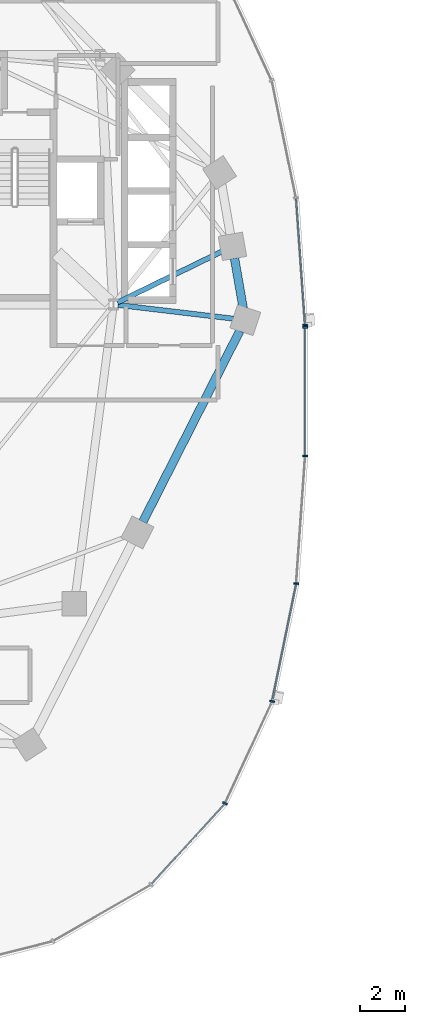
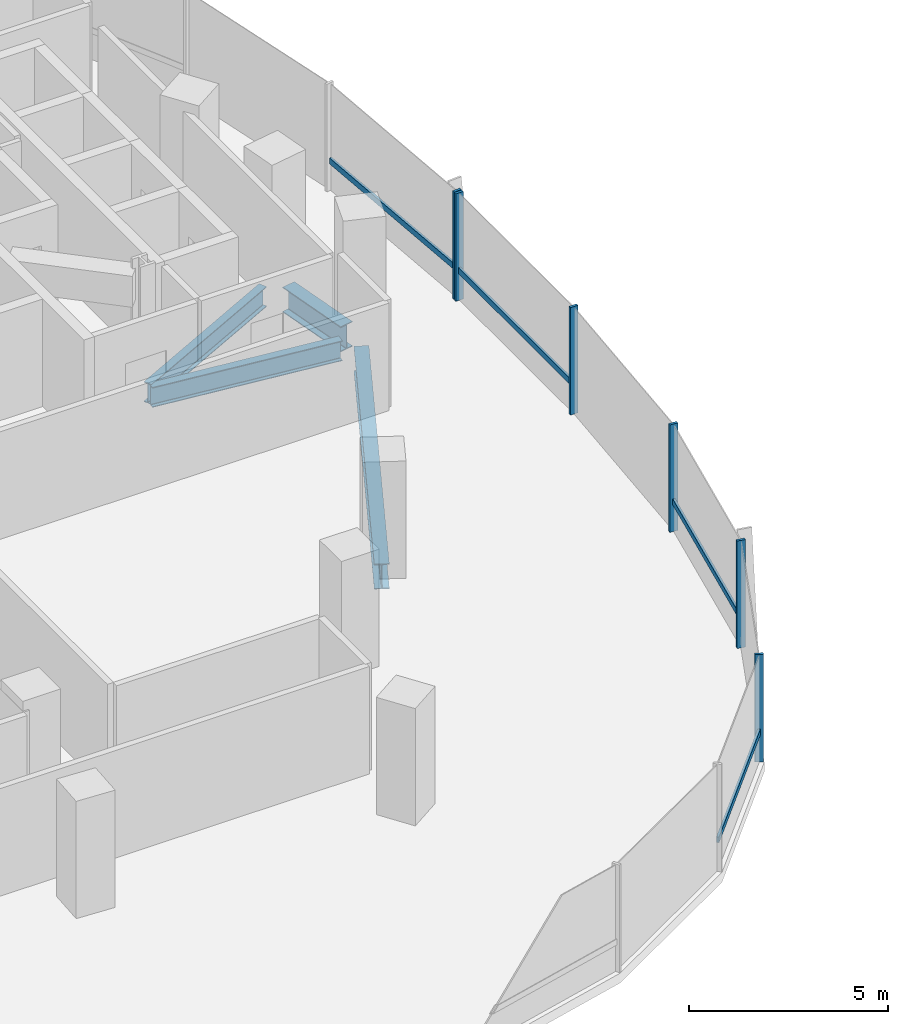
# One storey, part 3 of 20: 10 members, 4 beams, 2 elements without a shape of their own.
"""IFC4 building model written with IfcOpenShell, lengths in metres."""

from ifc_helpers import new_model, si_unit, direction, frame, origin, origin_2d, place, context, subcontext, project, spatial, rectangle, i_section, extrude, material, material_profile, profile_set, type_object, element, aggregate, save


model = new_model("IFC4")

# Units and contexts
model_context = context("Model", 3, precision=1e-05, world=origin(), true_north=direction((0.0, 1.0)))
body_context = subcontext(model_context, "Body", "Model", "MODEL_VIEW")
ifc_project = project(units=[si_unit("LENGTHUNIT", "METRE"), si_unit("AREAUNIT", "SQUARE_METRE"), si_unit("VOLUMEUNIT", "CUBIC_METRE"), si_unit("PLANEANGLEUNIT", "RADIAN"), si_unit("MASSUNIT", "GRAM", prefix="KILO"), si_unit("THERMODYNAMICTEMPERATUREUNIT", "KELVIN"), si_unit("POWERUNIT", "WATT")], contexts=[model_context])

# Site, building, storey
site_placement = place(None, origin())
site = spatial("IfcSite", under=ifc_project, at=site_placement, CompositionType="ELEMENT")
building_placement = place(site_placement, origin())
building = spatial("IfcBuilding", under=site, at=building_placement, Name="Cundina Bronze Exchange", CompositionType="ELEMENT")
storey_placement = place(building_placement, frame((0.0, 0.0, 125.0)))
storey = spatial("IfcBuildingStorey", under=building, at=storey_placement, Name="L32", CompositionType="ELEMENT", Elevation=125.0)

# Beams
ifc_material_1 = material(Name="Steel ASTM A992 Grade 50", Category="steel")
ifc_material_profile_1 = material_profile(ifc_material_1, i_section(OverallWidth=0.22998046875, OverallDepth=0.616943359375, WebThickness=0.01318359375, FlangeThickness=0.022216796875, FilletRadius=0.013916015625, at=origin_2d()), Name="W24X94", Category="steel")
ifc_profile_set_1 = profile_set([ifc_material_profile_1], Name="Steel ASTM A992 Grade 50")
beam_type_1 = type_object("IfcBeamType", Name="BM-FLR-W24B", PredefinedType="BEAM", material=ifc_profile_set_1)
beam_1_placement = place(storey_placement, frame((-21.247314453125, 3.8759765625, -0.6083984375), z_axis=(0.993035701683, -0.117813815752, 0.0), x_axis=(0.117813815752, 0.993035701683, 0.0)))
element("IfcBeam", 1, at=beam_1_placement, inside=storey, type_object=beam_type_1, Name="L32 Leg W Radial Floor Beam 00", PredefinedType="BEAM", context=body_context, shape_type="SweptSolid", body=[
    extrude(i_section(OverallWidth=0.22998046875, OverallDepth=0.616943359375, WebThickness=0.01318359375, FlangeThickness=0.022216796875, FilletRadius=0.013916015625, at=origin_2d()), origin(), (0.0, 0.0, 1.0), 5.19921875),
])
beam_2_placement = place(storey_placement, frame((-21.2666015625, 3.989501953125, -0.6083984375), z_axis=(0.898607246385, 0.438753936443, 0.0), x_axis=(-0.438753936443, 0.898607246385, 0.0)))
element("IfcBeam", 2, at=beam_2_placement, inside=storey, type_object=beam_type_1, Name="L32 Leg W Radial Floor Beam 01", PredefinedType="BEAM", context=body_context, shape_type="SweptSolid", body=[
    extrude(i_section(OverallWidth=0.22998046875, OverallDepth=0.616943359375, WebThickness=0.01318359375, FlangeThickness=0.022216796875, FilletRadius=0.013916015625, at=origin_2d()), origin(), (0.0, 0.0, 1.0), 5.183837890625),
])
ifc_material_profile_2 = material_profile(ifc_material_1, i_section(OverallWidth=0.381103515625, OverallDepth=0.77294921875, WebThickness=0.0166015625, FlangeThickness=0.027099609375, FilletRadius=0.01904296875, at=origin_2d()), Name="W30X173", Category="steel")
ifc_profile_set_2 = profile_set([ifc_material_profile_2], Name="Steel ASTM A992 Grade 50")
beam_type_2 = type_object("IfcBeamType", Name="BM-RING-W30", PredefinedType="USERDEFINED", material=ifc_profile_set_2)
beam_3_placement = place(storey_placement, frame((-15.642333984375, 3.72998046875, -0.6865234375), z_axis=(-0.171690078326, 0.985151012284, 0.0), x_axis=(-0.985151012284, -0.171690078326, 0.0)))
element("IfcBeam", 3, at=beam_3_placement, inside=storey, type_object=beam_type_2, Name="L32 W Perimeter Ring Girder 00", ObjectType="GIRDER", PredefinedType="USERDEFINED", context=body_context, shape_type="SweptSolid", body=[
    extrude(i_section(OverallWidth=0.381103515625, OverallDepth=0.77294921875, WebThickness=0.0166015625, FlangeThickness=0.027099609375, FilletRadius=0.01904296875, at=origin_2d()), origin(), (0.0, 0.0, 1.0), 2.273681640625),
])
beam_4_placement = place(storey_placement, frame((-20.13134765625, -5.8203125, -0.6865234375), z_axis=(0.452832332744, 0.891595692241, 0.0), x_axis=(-0.891595692241, 0.452832332744, 0.0)))
element("IfcBeam", 4, at=beam_4_placement, inside=storey, type_object=beam_type_2, Name="L32 W Perimeter Ring Girder 13", ObjectType="GIRDER", PredefinedType="USERDEFINED", context=body_context, shape_type="SweptSolid", body=[
    extrude(i_section(OverallWidth=0.381103515625, OverallDepth=0.77294921875, WebThickness=0.0166015625, FlangeThickness=0.027099609375, FilletRadius=0.01904296875, at=origin_2d()), origin(), (0.0, 0.0, 1.0), 9.578857421875),
])

# Curtain wall, member
ifc_material_2 = material(Name="Anodised Bronze Aluminium 6063-T6", Category="aluminium")
curtain_wall_type = type_object("IfcCurtainWallType", Name="CWS-TRD-MID", PredefinedType="NOTDEFINED", material=ifc_material_2)
curtain_wall_1_placement = place(storey_placement, origin())
curtain_wall_1 = element("IfcCurtainWall", 5, at=curtain_wall_1_placement, inside=storey, type_object=curtain_wall_type, Name="L32 CW-03 Curtain Wall Run CWR-L32-W1", PredefinedType="NOTDEFINED")
ifc_material_profile_3 = material_profile(ifc_material_2, rectangle(XDim=0.074951171875, YDim=0.219970703125, at=origin_2d()), Name="AL75X220", Category="aluminium")
ifc_profile_set_3 = profile_set([ifc_material_profile_3], Name="Anodised Bronze Aluminium 6063-T6")
member_type_1 = type_object("IfcMemberType", Name="CWM-MUL-220", PredefinedType="MULLION", material=ifc_profile_set_3)
member_1_placement = place(storey_placement, frame((-12.87548828125, 2.976318359375, 0.0), z_axis=(0.0, 0.0, 1.0), x_axis=(-0.070278787473, 0.997527389113, 0.0)))
member_1 = element("IfcMember", 6, at=member_1_placement, type_object=member_type_1, Name="CW-03 Mullion 1", PredefinedType="MULLION", context=body_context, shape_type="SweptSolid", body=[
    extrude(rectangle(XDim=0.074951171875, YDim=0.219970703125, at=origin_2d()), origin(), (0.0, 0.0, 1.0), 3.300048828125),
])

# Curtain wall, members
curtain_wall_2_placement = place(storey_placement, origin())
curtain_wall_2 = element("IfcCurtainWall", 7, at=curtain_wall_2_placement, inside=storey, type_object=curtain_wall_type, Name="L32 CW-03 Curtain Wall Run CWR-L32-W4", PredefinedType="NOTDEFINED")
member_2_placement = place(storey_placement, frame((-16.455810546875, -18.423583984375, 0.0), z_axis=(0.0, 0.0, 1.0), x_axis=(0.42087749791, 0.907117485088, 0.0)))
member_2 = element("IfcMember", 8, at=member_2_placement, type_object=member_type_1, Name="CW-03 Mullion 4", PredefinedType="MULLION", context=body_context, shape_type="SweptSolid", body=[
    extrude(rectangle(XDim=0.074951171875, YDim=0.219970703125, at=origin_2d()), origin(), (0.0, 0.0, 1.0), 3.300048828125),
])
member_3_placement = place(storey_placement, frame((-14.348876953125, -13.861328125, 0.0), z_axis=(0.0, 0.0, 1.0), x_axis=(0.201419845156, 0.979505000486, 0.0)))
member_3 = element("IfcMember", 9, at=member_3_placement, type_object=member_type_1, Name="CW-03 Mullion 5", PredefinedType="MULLION", context=body_context, shape_type="SweptSolid", body=[
    extrude(rectangle(XDim=0.074951171875, YDim=0.219970703125, at=origin_2d()), origin(), (0.0, 0.0, 1.0), 3.300048828125),
])
member_4_placement = place(storey_placement, frame((-13.27099609375, -8.591552734375, 0.0), z_axis=(0.0, 0.0, 1.0), x_axis=(0.070278787473, 0.997527389113, 0.0)))
member_4 = element("IfcMember", 10, at=member_4_placement, type_object=member_type_1, Name="CW-03 Mullion 6", PredefinedType="MULLION", context=body_context, shape_type="SweptSolid", body=[
    extrude(rectangle(XDim=0.074951171875, YDim=0.219970703125, at=origin_2d()), origin(), (0.0, 0.0, 1.0), 3.300048828125),
])
member_5_placement = place(storey_placement, frame((-12.8720703125, -2.880615234375, 0.0), z_axis=(0.0, 0.0, 1.0), x_axis=(0.0, 1.0, 0.0)))
member_5 = element("IfcMember", 11, at=member_5_placement, type_object=member_type_1, Name="CW-03 Mullion 7", PredefinedType="MULLION", context=body_context, shape_type="SweptSolid", body=[
    extrude(rectangle(XDim=0.074951171875, YDim=0.219970703125, at=origin_2d()), origin(), (0.0, 0.0, 1.0), 3.300048828125),
])
member_6_placement = place(storey_placement, frame((-12.8720703125, 2.880615234375, 0.0), z_axis=(0.0, 0.0, 1.0), x_axis=(0.0, 1.0, 0.0)))
member_6 = element("IfcMember", 12, at=member_6_placement, type_object=member_type_1, Name="CW-03 End Mullion", PredefinedType="MULLION", context=body_context, shape_type="SweptSolid", body=[
    extrude(rectangle(XDim=0.074951171875, YDim=0.219970703125, at=origin_2d()), origin(), (0.0, 0.0, 1.0), 3.300048828125),
])

# Member
ifc_material_profile_4 = material_profile(ifc_material_2, rectangle(XDim=0.070068359375, YDim=0.179931640625, at=origin_2d()), Name="AL70X180", Category="aluminium")
ifc_profile_set_4 = profile_set([ifc_material_profile_4], Name="Anodised Bronze Aluminium 6063-T6")
member_type_2 = type_object("IfcMemberType", Name="CWM-TRN-180", PredefinedType="USERDEFINED", material=ifc_profile_set_4)
member_7_placement = place(storey_placement, frame((-12.87841796875, 3.017333984375, 0.919921875), z_axis=(-0.070260714471, 0.997528662246, 0.0), x_axis=(-0.997528662246, -0.070260714471, 0.0)))
member_7 = element("IfcMember", 13, at=member_7_placement, type_object=member_type_2, Name="CW-03 Spandrel Transom 1", ObjectType="TRANSOM", PredefinedType="USERDEFINED", context=body_context, shape_type="SweptSolid", body=[
    extrude(rectangle(XDim=0.070068359375, YDim=0.179931640625, at=origin_2d()), origin(), (0.0, 0.0, 1.0), 5.629150390625),
])

aggregate(curtain_wall_1, [member_1, member_7])

member_8_placement = place(storey_placement, frame((-19.73291015625, -22.027099609375, 0.919921875), z_axis=(0.674302794847, 0.738454968743, 0.0), x_axis=(-0.738454968743, 0.674302794847, 0.0)))
member_8 = element("IfcMember", 14, at=member_8_placement, type_object=member_type_2, Name="CW-03 Spandrel Transom 3", ObjectType="TRANSOM", PredefinedType="USERDEFINED", context=body_context, shape_type="SweptSolid", body=[
    extrude(rectangle(XDim=0.070068359375, YDim=0.179931640625, at=origin_2d()), origin(), (0.0, 0.0, 1.0), 4.848388671875),
])

member_9_placement = place(storey_placement, frame((-14.340576171875, -13.821044921875, 0.919921875), z_axis=(0.201427712708, 0.979503382615, 0.0), x_axis=(-0.979503382615, 0.201427712708, 0.0)))
member_9 = element("IfcMember", 15, at=member_9_placement, type_object=member_type_2, Name="CW-03 Spandrel Transom 5", ObjectType="TRANSOM", PredefinedType="USERDEFINED", context=body_context, shape_type="SweptSolid", body=[
    extrude(rectangle(XDim=0.070068359375, YDim=0.179931640625, at=origin_2d()), origin(), (0.0, 0.0, 1.0), 5.291748046875),
])

member_10_placement = place(storey_placement, frame((-12.8720703125, -2.839111328125, 0.919921875), z_axis=(0.0, 1.0, 0.0), x_axis=(-1.0, 0.0, 0.0)))
member_10 = element("IfcMember", 16, at=member_10_placement, type_object=member_type_2, Name="CW-03 Spandrel Transom 7", ObjectType="TRANSOM", PredefinedType="USERDEFINED", context=body_context, shape_type="SweptSolid", body=[
    extrude(rectangle(XDim=0.070068359375, YDim=0.179931640625, at=origin_2d()), origin(), (0.0, 0.0, 1.0), 5.67822265625),
])

aggregate(curtain_wall_2, [member_8, member_2, member_3, member_9, member_4, member_5, member_6, member_10])

save(model, "model.ifc")
